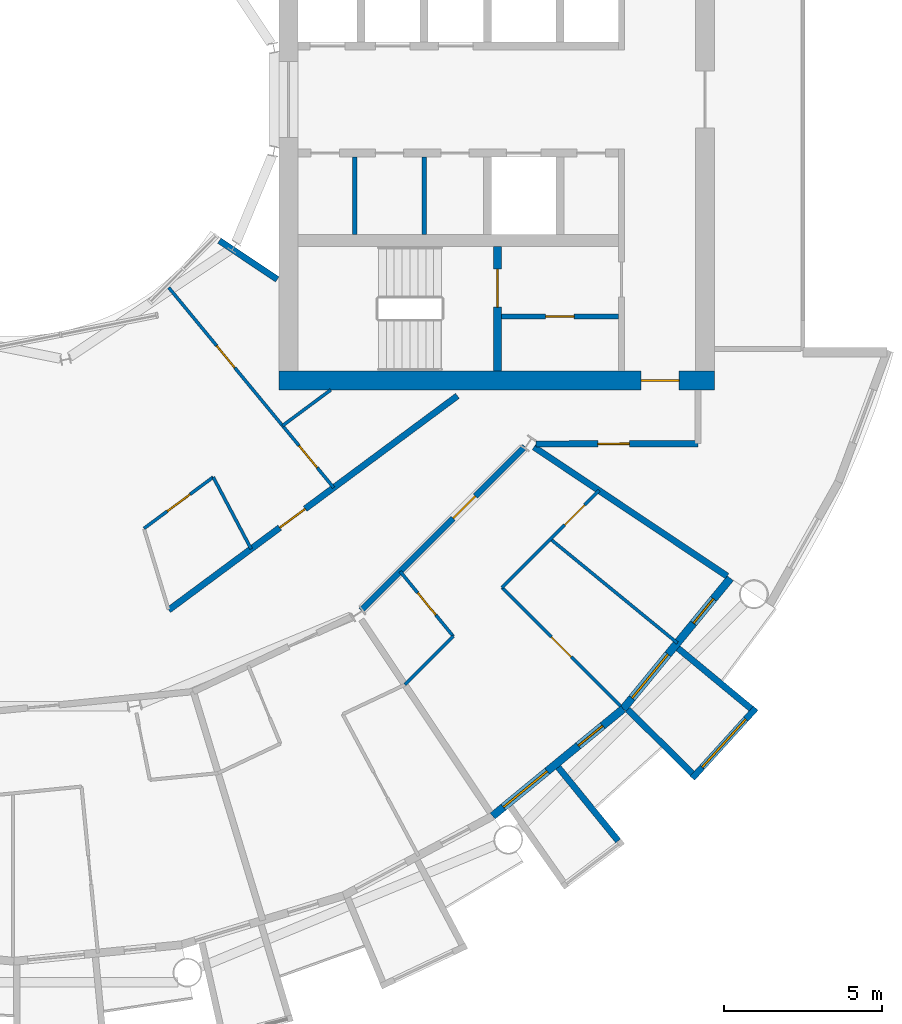
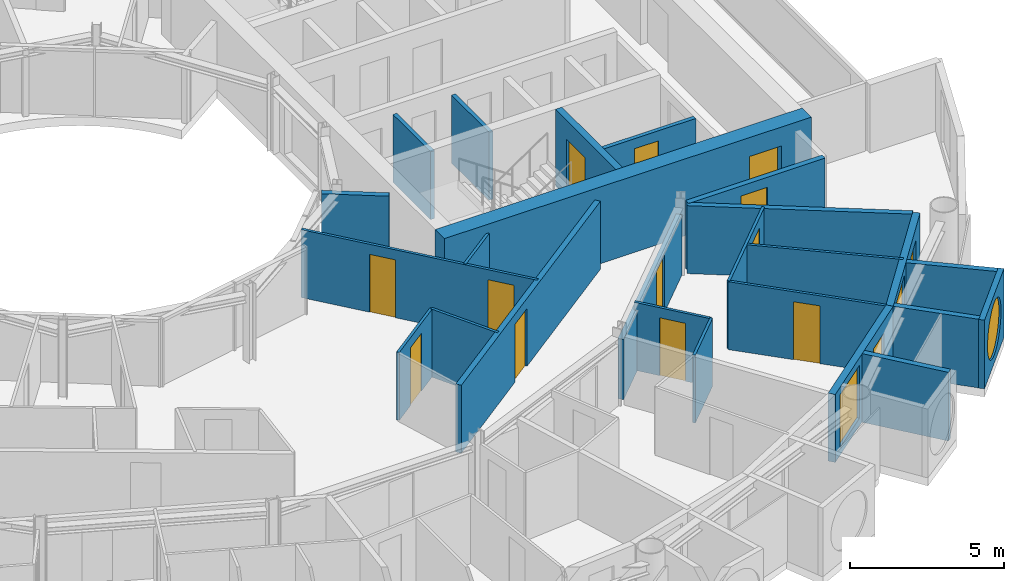
# One storey, part 17 of 27: 25 walls, 14 doors, 3 windows, 17 openings.
"""IFC4 building model written with IfcOpenShell, lengths in metres."""

from ifc_helpers import new_model, si_unit, direction, frame, frame_2d, origin, place, context, subcontext, project, spatial, rectangle, circle, extrude, material, layer, layer_set, type_object, element, fill, save


model = new_model("IFC4")

# Units and contexts
model_context = context("Model", 3, precision=1e-05, world=origin(), true_north=direction((0.0, 1.0)))
body_context = subcontext(model_context, "Body", "Model", "MODEL_VIEW")
ifc_project = project(units=[si_unit("LENGTHUNIT", "METRE"), si_unit("AREAUNIT", "SQUARE_METRE"), si_unit("VOLUMEUNIT", "CUBIC_METRE"), si_unit("PLANEANGLEUNIT", "RADIAN"), si_unit("MASSUNIT", "GRAM", prefix="KILO")], contexts=[model_context])

# Site, building, storey
site_placement = place(None, origin())
site = spatial("IfcSite", under=ifc_project, at=site_placement, CompositionType="ELEMENT")
building_placement = place(site_placement, origin())
building = spatial("IfcBuilding", under=site, at=building_placement, Name="Maasbend Ring Residences", CompositionType="ELEMENT")
storey_placement = place(building_placement, frame((0.0, 0.0, 117.75)))
storey = spatial("IfcBuildingStorey", under=building, at=storey_placement, Name="L33", CompositionType="ELEMENT", Elevation=117.75)

# Wall, opening, door
ifc_material_1 = material(Name="Concrete C60/75", Category="concrete")
ifc_layer_1 = layer(ifc_material_1, 0.25)
ifc_layer_set_1 = layer_set([ifc_layer_1], Name="Concrete C60/75")
wall_type_1 = type_object("IfcWallType", Name="CORE WALL 250 C60/75", PredefinedType="SHEAR", material=ifc_layer_set_1)
wall_1_placement = place(storey_placement, frame((15.324951171875, -8.60009765625, 0.0), z_axis=(0.0, 0.0, 1.0), x_axis=(0.0, 1.0, 0.0)))
wall_1 = element("IfcWall", 1, at=wall_1_placement, inside=storey, type_object=wall_type_1, Name="L33 core E wall STES", PredefinedType="SHEAR", context=body_context, shape_type="SweptSolid", body=[
    extrude(rectangle(XDim=3.9501953125, YDim=0.25, at=frame_2d((1.97509765625, 0.0))), origin(), (0.0, 0.0, 1.0), 3.050048828125),
])
opening_1_placement = place(wall_1_placement, frame((2.02490234375, 0.0, 0.0)))
opening_1 = element("IfcOpeningElement", 2, at=opening_1_placement, cuts=wall_1, Name="Opening D-E3312", PredefinedType="OPENING", context=body_context, shape_type="SweptSolid", body=[
    extrude(rectangle(XDim=1.199951171875, YDim=2.300048828125, at=frame_2d((0.60009765625, 1.14990234375))), frame((0.0, 0.135009765625, 0.0), z_axis=(0.0, -1.0, 0.0), x_axis=(1.0, 0.0, 0.0)), (0.0, 0.0, 1.0), 0.27001953125),
])
ifc_material_2 = material(Name="Steel, powder coated", Category="steel")
door_type_1 = type_object("IfcDoorType", Name="STAIR DOOR 1200 X 2300 FD60", OperationType="NOTDEFINED", PredefinedType="DOOR", material=ifc_material_2)
door_1_placement = place(opening_1_placement, origin())
door_1 = element("IfcDoor", 3, at=door_1_placement, inside=storey, type_object=door_type_1, Name="Stair door ST-E L33", OperationType="SINGLE_SWING_LEFT", OverallHeight=2.300048828125, OverallWidth=1.199951171875, PredefinedType="DOOR", context=body_context, shape_type="SweptSolid", body=[
    extrude(rectangle(XDim=1.199951171875, YDim=2.300048828125, at=frame_2d((0.60009765625, 1.14990234375))), frame((0.0, 0.02490234375, 0.0), z_axis=(0.0, -1.0, 0.0), x_axis=(1.0, 0.0, 0.0)), (0.0, 0.0, 1.0), 0.050048828125),
])
fill(opening_1, door_1)

ifc_material_3 = material(Name="Concrete C60/75", Category="concrete")
ifc_layer_2 = layer(ifc_material_3, 0.60009765625)
ifc_layer_set_2 = layer_set([ifc_layer_2], Name="Concrete C60/75")
wall_type_2 = type_object("IfcWallType", Name="CORE WALL 600 C60/75", PredefinedType="SHEAR", material=ifc_layer_set_2)
wall_2_placement = place(storey_placement, frame((8.39990234375, -8.89990234375, 0.0), z_axis=(0.0, 0.0, 1.0), x_axis=(1.0, 0.0, 0.0)))
wall_2 = element("IfcWall", 4, at=wall_2_placement, inside=storey, type_object=wall_type_2, Name="L33 core E wall PS", PredefinedType="SHEAR", context=body_context, shape_type="SweptSolid", body=[
    extrude(rectangle(XDim=13.800048828125, YDim=0.60009765625, at=frame_2d((6.89990234375, 0.0))), origin(), (0.0, 0.0, 1.0), 3.050048828125),
])
opening_2_placement = place(wall_2_placement, frame((11.47509765625, 0.0, 0.0)))
opening_2 = element("IfcOpeningElement", 5, at=opening_2_placement, cuts=wall_2, Name="Opening D-E3316", PredefinedType="OPENING", context=body_context, shape_type="SweptSolid", body=[
    extrude(rectangle(XDim=1.199951171875, YDim=2.300048828125, at=frame_2d((0.60009765625, 1.14990234375))), frame((0.0, 0.31005859375, 0.0), z_axis=(0.0, -1.0, 0.0), x_axis=(1.0, 0.0, 0.0)), (0.0, 0.0, 1.0), 0.6201171875),
])
ifc_material_4 = material(Name="Steel, powder coated", Category="steel")
door_type_2 = type_object("IfcDoorType", Name="CORRIDOR DOOR 1200 X 2300 FD30S", OperationType="NOTDEFINED", PredefinedType="DOOR", material=ifc_material_4)
door_2_placement = place(opening_2_placement, origin())
door_2 = element("IfcDoor", 6, at=door_2_placement, inside=storey, type_object=door_type_2, Name="Corridor door L33", OperationType="SINGLE_SWING_LEFT", OverallHeight=2.300048828125, OverallWidth=1.199951171875, PredefinedType="DOOR", context=body_context, shape_type="SweptSolid", body=[
    extrude(rectangle(XDim=1.199951171875, YDim=2.300048828125, at=frame_2d((0.60009765625, 1.14990234375))), frame((0.0, 0.02490234375, 0.0), z_axis=(0.0, -1.0, 0.0), x_axis=(1.0, 0.0, 0.0)), (0.0, 0.0, 1.0), 0.050048828125),
])
fill(opening_2, door_2)

ifc_material_5 = material(Name="Concrete C30/37", Category="concrete")
ifc_layer_3 = layer(ifc_material_5, 0.199951171875)
ifc_layer_set_3 = layer_set([ifc_layer_3], Name="Concrete C30/37")
wall_type_3 = type_object("IfcWallType", Name="CORRIDOR WALL 200 CONCRETE", PredefinedType="PARTITIONING", material=ifc_layer_set_3)
wall_3_placement = place(storey_placement, frame((11.0, -16.18603515625, 0.0), z_axis=(0.0, 0.0, 1.0), x_axis=(0.707106781187, 0.707106781187, 0.0)))
wall_3 = element("IfcWall", 7, at=wall_3_placement, inside=storey, type_object=wall_type_3, Name="U-L33-w016", PredefinedType="PARTITIONING", context=body_context, shape_type="SweptSolid", body=[
    extrude(rectangle(XDim=7.334228515625, YDim=0.199951171875, at=frame_2d((3.6669921875, 0.0))), origin(), (0.0, 0.0, 1.0), 2.389892578125),
])
opening_3_placement = place(wall_3_placement, frame((4.123046875, 0.0, 0.0)))
opening_3 = element("IfcOpeningElement", 8, at=opening_3_placement, cuts=wall_3, Name="Opening D-3349", PredefinedType="OPENING", context=body_context, shape_type="SweptSolid", body=[
    extrude(rectangle(XDim=1.0, YDim=2.300048828125, at=frame_2d((0.5, 1.14990234375))), frame((0.0, 0.10986328125, 0.0), z_axis=(0.0, -1.0, 0.0), x_axis=(1.0, 0.0, 0.0)), (0.0, 0.0, 1.0), 0.219970703125),
])
ifc_material_6 = material(Name="Timber, fire-rated, painted", Category="wood")
door_type_3 = type_object("IfcDoorType", Name="FLAT ENTRANCE DOOR 1000 X 2300 FIRE-RATED", OperationType="NOTDEFINED", PredefinedType="DOOR", material=ifc_material_6)
door_3_placement = place(opening_3_placement, origin())
door_3 = element("IfcDoor", 9, at=door_3_placement, inside=storey, type_object=door_type_3, Name="D-3349", OperationType="SINGLE_SWING_RIGHT", OverallHeight=2.300048828125, OverallWidth=1.0, PredefinedType="DOOR", context=body_context, shape_type="SweptSolid", body=[
    extrude(rectangle(XDim=1.0, YDim=2.300048828125, at=frame_2d((0.5, 1.14990234375))), frame((0.0, 0.02490234375, 0.0), z_axis=(0.0, -1.0, 0.0), x_axis=(1.0, 0.0, 0.0)), (0.0, 0.0, 1.0), 0.050048828125),
])
fill(opening_3, door_3)

wall_4_placement = place(storey_placement, frame((4.906005859375, -16.172119140625, 0.0), z_axis=(0.0, 0.0, 1.0), x_axis=(0.803204584823, 0.59570327758, 0.0)))
wall_4 = element("IfcWall", 10, at=wall_4_placement, inside=storey, type_object=wall_type_3, Name="U-L33-w018", PredefinedType="PARTITIONING", context=body_context, shape_type="SweptSolid", body=[
    extrude(rectangle(XDim=11.386962890625, YDim=0.199951171875, at=frame_2d((5.693359375, 0.0))), origin(), (0.0, 0.0, 1.0), 2.699951171875),
])
opening_4_placement = place(wall_4_placement, frame((4.3798828125, 0.0, 0.0)))
opening_4 = element("IfcOpeningElement", 11, at=opening_4_placement, cuts=wall_4, Name="Opening D-3358", PredefinedType="OPENING", context=body_context, shape_type="SweptSolid", body=[
    extrude(rectangle(XDim=1.0, YDim=2.300048828125, at=frame_2d((0.5, 1.14990234375))), frame((0.0, 0.10986328125, 0.0), z_axis=(0.0, -1.0, 0.0), x_axis=(1.0, 0.0, 0.0)), (0.0, 0.0, 1.0), 0.219970703125),
])
door_4_placement = place(opening_4_placement, origin())
door_4 = element("IfcDoor", 12, at=door_4_placement, inside=storey, type_object=door_type_3, Name="D-3358", OperationType="SINGLE_SWING_LEFT", OverallHeight=2.300048828125, OverallWidth=1.0, PredefinedType="DOOR", context=body_context, shape_type="SweptSolid", body=[
    extrude(rectangle(XDim=1.0, YDim=2.300048828125, at=frame_2d((0.5, 1.14990234375))), frame((0.0, 0.02490234375, 0.0), z_axis=(0.0, -1.0, 0.0), x_axis=(1.0, 0.0, 0.0)), (0.0, 0.0, 1.0), 0.050048828125),
])
fill(opening_4, door_4)

wall_5_placement = place(storey_placement, frame((16.541015625, -10.912109375, 0.0), z_axis=(0.0, 0.0, 1.0), x_axis=(0.999997173357, 0.002377662213, 0.0)))
wall_5 = element("IfcWall", 13, at=wall_5_placement, inside=storey, type_object=wall_type_3, Name="U-L33-w025", PredefinedType="PARTITIONING", context=body_context, shape_type="SweptSolid", body=[
    extrude(rectangle(XDim=5.134033203125, YDim=0.199951171875, at=frame_2d((2.56689453125, 0.0))), origin(), (0.0, 0.0, 1.0), 2.699951171875),
])
opening_5_placement = place(wall_5_placement, frame((1.962890625, 0.0, 0.0)))
opening_5 = element("IfcOpeningElement", 14, at=opening_5_placement, cuts=wall_5, Name="Opening D-3364", PredefinedType="OPENING", context=body_context, shape_type="SweptSolid", body=[
    extrude(rectangle(XDim=1.0, YDim=2.300048828125, at=frame_2d((0.5, 1.14990234375))), frame((0.0, 0.10986328125, 0.0), z_axis=(0.0, -1.0, 0.0), x_axis=(1.0, 0.0, 0.0)), (0.0, 0.0, 1.0), 0.219970703125),
])
ifc_material_7 = material(Name="Timber, painted", Category="wood")
door_type_4 = type_object("IfcDoorType", Name="ROOM DOOR 1000 X 2300", OperationType="NOTDEFINED", PredefinedType="DOOR", material=ifc_material_7)
door_5_placement = place(opening_5_placement, origin())
door_5 = element("IfcDoor", 15, at=door_5_placement, inside=storey, type_object=door_type_4, Name="D-3364", OperationType="SINGLE_SWING_LEFT", OverallHeight=2.300048828125, OverallWidth=1.0, PredefinedType="DOOR", context=body_context, shape_type="SweptSolid", body=[
    extrude(rectangle(XDim=1.0, YDim=2.300048828125, at=frame_2d((0.5, 1.14990234375))), frame((0.0, 0.02490234375, 0.0), z_axis=(0.0, -1.0, 0.0), x_axis=(1.0, 0.0, 0.0)), (0.0, 0.0, 1.0), 0.050048828125),
])
fill(opening_5, door_5)

# Wall
ifc_material_8 = material(Name="Pale anodised aluminium panel", Category="aluminium")
ifc_layer_4 = layer(ifc_material_8, 0.199951171875)
ifc_layer_set_4 = layer_set([ifc_layer_4], Name="EW-BOX")
wall_type_4 = type_object("IfcWallType", Name="EW-BOX", PredefinedType="SOLIDWALL", material=ifc_layer_set_4)
wall_6_placement = place(storey_placement, frame((17.24609375, -21.155029296875, -0.030029296875), z_axis=(0.0, 0.0, 1.0), x_axis=(0.631741648902, -0.775179004516, 0.0)))
element("IfcWall", 16, at=wall_6_placement, inside=storey, type_object=wall_type_4, Name="Box side wall S17 right", PredefinedType="SOLIDWALL", context=body_context, shape_type="SweptSolid", body=[
    extrude(rectangle(XDim=3.005859375, YDim=0.199951171875, at=frame_2d((1.5029296875, 0.0))), origin(), (0.0, 0.0, 1.0), 2.72998046875),
])

# Wall, opening, window
wall_7_placement = place(storey_placement, frame((21.492919921875, -21.5, -0.030029296875), z_axis=(0.0, 0.0, 1.0), x_axis=(0.671506829416, 0.740998365753, 0.0)))
wall_7 = element("IfcWall", 17, at=wall_7_placement, inside=storey, type_object=wall_type_4, Name="Box front S19", PredefinedType="SOLIDWALL", context=body_context, shape_type="SweptSolid", body=[
    extrude(rectangle(XDim=2.9931640625, YDim=0.199951171875, at=frame_2d((1.49658203125, 0.0))), origin(), (0.0, 0.0, 1.0), 2.72998046875),
])
opening_6_placement = place(wall_7_placement, frame((0.45654296875, 0.0, 0.330078125)))
opening_6 = element("IfcOpeningElement", 18, at=opening_6_placement, cuts=wall_7, Name="Opening W-RD", PredefinedType="OPENING", context=body_context, shape_type="SweptSolid", body=[
    extrude(circle(Radius=1.0400390625, at=frame_2d((1.0400390625, 1.0400390625))), frame((0.0, 0.10986328125, 0.0), z_axis=(0.0, -1.0, 0.0), x_axis=(1.0, 0.0, 0.0)), (0.0, 0.0, 1.0), 0.219970703125),
])
ifc_material_9 = material(Name="Aluminium and clear glass", Category="aluminium")
window_type_1 = type_object("IfcWindowType", Name="W-RD", PartitioningType="SINGLE_PANEL", PredefinedType="WINDOW", material=ifc_material_9)
window_1_placement = place(opening_6_placement, origin())
window_1 = element("IfcWindow", 19, at=window_1_placement, inside=storey, type_object=window_type_1, Name="Round window S19", OverallHeight=2.080078125, OverallWidth=2.080078125, PartitioningType="SINGLE_PANEL", PredefinedType="WINDOW", context=body_context, shape_type="SweptSolid", body=[
    extrude(circle(Radius=1.0400390625, at=frame_2d((1.0400390625, 1.0400390625))), frame((0.0, 0.030029296875, 0.0), z_axis=(0.0, -1.0, 0.0), x_axis=(1.0, 0.0, 0.0)), (0.0, 0.0, 1.0), 0.06005859375),
])
fill(opening_6, window_1)

# Walls
wall_8_placement = place(storey_placement, frame((19.449951171875, -19.322998046875, -0.030029296875), z_axis=(0.0, 0.0, 1.0), x_axis=(0.709727076896, -0.704476739375, 0.0)))
element("IfcWall", 20, at=wall_8_placement, inside=storey, type_object=wall_type_4, Name="Box side wall S19 left", PredefinedType="SOLIDWALL", context=body_context, shape_type="SweptSolid", body=[
    extrude(rectangle(XDim=2.883056640625, YDim=0.199951171875, at=frame_2d((1.44140625, 0.0))), origin(), (0.0, 0.0, 1.0), 2.72998046875),
])
wall_9_placement = place(storey_placement, frame((21.041015625, -17.384033203125, -0.030029296875), z_axis=(0.0, 0.0, 1.0), x_axis=(0.770784861449, -0.63709551667, 0.0)))
element("IfcWall", 21, at=wall_9_placement, inside=storey, type_object=wall_type_4, Name="Box side wall S19 right", PredefinedType="SOLIDWALL", context=body_context, shape_type="SweptSolid", body=[
    extrude(rectangle(XDim=3.005859375, YDim=0.199951171875, at=frame_2d((1.5029296875, 0.0))), origin(), (0.0, 0.0, 1.0), 2.72998046875),
])

# Wall, openings, door, window
ifc_material_10 = material(Name="Aluminium clad insulated panel", Category="aluminium")
ifc_layer_5 = layer(ifc_material_10, 0.25)
ifc_layer_set_5 = layer_set([ifc_layer_5], Name="EW-GL")
wall_type_5 = type_object("IfcWallType", Name="EW-GL", PredefinedType="SOLIDWALL", material=ifc_layer_set_5)
wall_10_placement = place(storey_placement, frame((15.1669921875, -22.698974609375, 0.0), z_axis=(0.0, 0.0, 1.0), x_axis=(0.773019449054, 0.634382322723, 0.0)))
wall_10 = element("IfcWall", 22, at=wall_10_placement, inside=storey, type_object=wall_type_5, Name="External wall S09", PredefinedType="SOLIDWALL", context=body_context, shape_type="SweptSolid", body=[
    extrude(rectangle(XDim=5.351806640625, YDim=0.25, at=frame_2d((2.67578125, 0.0))), origin(), (0.0, 0.0, 1.0), 2.699951171875),
])
opening_7_placement = place(wall_10_placement, frame((0.441162109375, 0.0, 0.300048828125)))
opening_7 = element("IfcOpeningElement", 23, at=opening_7_placement, cuts=wall_10, Name="Opening W-BX", PredefinedType="OPENING", context=body_context, shape_type="SweptSolid", body=[
    extrude(rectangle(XDim=1.800048828125, YDim=2.10009765625, at=frame_2d((0.89990234375, 1.050048828125))), frame((0.0, 0.135009765625, 0.0), z_axis=(0.0, -1.0, 0.0), x_axis=(1.0, 0.0, 0.0)), (0.0, 0.0, 1.0), 0.27001953125),
])
opening_8_placement = place(wall_10_placement, frame((3.510498046875, 0.0, 0.0)))
opening_8 = element("IfcOpeningElement", 24, at=opening_8_placement, cuts=wall_10, Name="Opening D-LG", PredefinedType="OPENING", context=body_context, shape_type="SweptSolid", body=[
    extrude(rectangle(XDim=1.0, YDim=2.199951171875, at=frame_2d((0.5, 1.10009765625))), frame((0.0, 0.135009765625, 0.0), z_axis=(0.0, -1.0, 0.0), x_axis=(1.0, 0.0, 0.0)), (0.0, 0.0, 1.0), 0.27001953125),
])
ifc_material_11 = material(Name="Aluminium and clear glass", Category="aluminium")
door_type_5 = type_object("IfcDoorType", Name="D-LG", OperationType="SINGLE_SWING_LEFT", PredefinedType="DOOR", material=ifc_material_11)
door_6_placement = place(opening_8_placement, origin())
door_6 = element("IfcDoor", 25, at=door_6_placement, inside=storey, type_object=door_type_5, Name="Loggia door S18", OperationType="SINGLE_SWING_LEFT", OverallHeight=2.199951171875, OverallWidth=1.0, PredefinedType="DOOR", context=body_context, shape_type="SweptSolid", body=[
    extrude(rectangle(XDim=1.0, YDim=2.199951171875, at=frame_2d((0.5, 1.10009765625))), frame((0.0, 0.02490234375, 0.0), z_axis=(0.0, -1.0, 0.0), x_axis=(1.0, 0.0, 0.0)), (0.0, 0.0, 1.0), 0.050048828125),
])
fill(opening_8, door_6)
ifc_material_12 = material(Name="Aluminium and clear glass", Category="aluminium")
window_type_2 = type_object("IfcWindowType", Name="W-BX", PartitioningType="DOUBLE_PANEL_VERTICAL", PredefinedType="WINDOW", material=ifc_material_12)
window_2_placement = place(opening_7_placement, origin())
window_2 = element("IfcWindow", 26, at=window_2_placement, inside=storey, type_object=window_type_2, Name="Window S17 room to box", OverallHeight=2.10009765625, OverallWidth=1.800048828125, PartitioningType="SINGLE_PANEL", PredefinedType="WINDOW", context=body_context, shape_type="SweptSolid", body=[
    extrude(rectangle(XDim=1.800048828125, YDim=2.10009765625, at=frame_2d((0.89990234375, 1.050048828125))), frame((0.0, 0.030029296875, 0.0), z_axis=(0.0, -1.0, 0.0), x_axis=(1.0, 0.0, 0.0)), (0.0, 0.0, 1.0), 0.06005859375),
])
fill(opening_7, window_2)

wall_11_placement = place(storey_placement, frame((19.303955078125, -19.303955078125, 0.0), z_axis=(0.0, 0.0, 1.0), x_axis=(0.634382322723, 0.773019449054, 0.0)))
wall_11 = element("IfcWall", 27, at=wall_11_placement, inside=storey, type_object=wall_type_5, Name="External wall S10", PredefinedType="SOLIDWALL", context=body_context, shape_type="SweptSolid", body=[
    extrude(rectangle(XDim=5.351806640625, YDim=0.25, at=frame_2d((2.67578125, 0.0))), origin(), (0.0, 0.0, 1.0), 2.699951171875),
])
opening_9_placement = place(wall_11_placement, frame((0.441162109375, 0.0, 0.300048828125)))
opening_9 = element("IfcOpeningElement", 28, at=opening_9_placement, cuts=wall_11, Name="Opening W-BX", PredefinedType="OPENING", context=body_context, shape_type="SweptSolid", body=[
    extrude(rectangle(XDim=1.800048828125, YDim=2.10009765625, at=frame_2d((0.89990234375, 1.050048828125))), frame((0.0, 0.135009765625, 0.0), z_axis=(0.0, -1.0, 0.0), x_axis=(1.0, 0.0, 0.0)), (0.0, 0.0, 1.0), 0.27001953125),
])
opening_10_placement = place(wall_11_placement, frame((3.510498046875, 0.0, 0.0)))
opening_10 = element("IfcOpeningElement", 29, at=opening_10_placement, cuts=wall_11, Name="Opening D-LG", PredefinedType="OPENING", context=body_context, shape_type="SweptSolid", body=[
    extrude(rectangle(XDim=1.0, YDim=2.199951171875, at=frame_2d((0.5, 1.10009765625))), frame((0.0, 0.135009765625, 0.0), z_axis=(0.0, -1.0, 0.0), x_axis=(1.0, 0.0, 0.0)), (0.0, 0.0, 1.0), 0.27001953125),
])
door_7_placement = place(opening_10_placement, origin())
door_7 = element("IfcDoor", 30, at=door_7_placement, inside=storey, type_object=door_type_5, Name="Loggia door S20", OperationType="SINGLE_SWING_LEFT", OverallHeight=2.199951171875, OverallWidth=1.0, PredefinedType="DOOR", context=body_context, shape_type="SweptSolid", body=[
    extrude(rectangle(XDim=1.0, YDim=2.199951171875, at=frame_2d((0.5, 1.10009765625))), frame((0.0, 0.02490234375, 0.0), z_axis=(0.0, -1.0, 0.0), x_axis=(1.0, 0.0, 0.0)), (0.0, 0.0, 1.0), 0.050048828125),
])
fill(opening_10, door_7)
window_3_placement = place(opening_9_placement, origin())
window_3 = element("IfcWindow", 31, at=window_3_placement, inside=storey, type_object=window_type_2, Name="Window S19 room to box", OverallHeight=2.10009765625, OverallWidth=1.800048828125, PartitioningType="SINGLE_PANEL", PredefinedType="WINDOW", context=body_context, shape_type="SweptSolid", body=[
    extrude(rectangle(XDim=1.800048828125, YDim=2.10009765625, at=frame_2d((0.89990234375, 1.050048828125))), frame((0.0, 0.030029296875, 0.0), z_axis=(0.0, -1.0, 0.0), x_axis=(1.0, 0.0, 0.0)), (0.0, 0.0, 1.0), 0.06005859375),
])
fill(opening_9, window_3)

# Wall
ifc_material_13 = material(Name="Gypsum board on steel studs", Category="steel")
ifc_layer_6 = layer(ifc_material_13, 0.10009765625)
ifc_layer_set_6 = layer_set([ifc_layer_6], Name="PARTITION 100 GYPSUM")
wall_type_6 = type_object("IfcWallType", Name="PARTITION 100 GYPSUM", PredefinedType="PARTITIONING", material=ifc_layer_set_6)
wall_12_placement = place(storey_placement, frame((12.388916015625, -18.5419921875, 0.0), z_axis=(0.0, 0.0, 1.0), x_axis=(0.707106781187, 0.707106781187, 0.0)))
element("IfcWall", 32, at=wall_12_placement, inside=storey, type_object=wall_type_6, Name="U-L33-w007", PredefinedType="PARTITIONING", context=body_context, shape_type="SweptSolid", body=[
    extrude(rectangle(XDim=2.17529296875, YDim=0.10009765625, at=frame_2d((1.087646484375, 0.0))), origin(), (0.0, 0.0, 1.0), 2.699951171875),
])

# Wall, opening, door
wall_13_placement = place(storey_placement, frame((15.468017578125, -15.462890625, 0.0), z_axis=(0.0, 0.0, 1.0), x_axis=(0.707106781187, 0.707106781187, 0.0)))
wall_13 = element("IfcWall", 33, at=wall_13_placement, inside=storey, type_object=wall_type_6, Name="U-L33-w008", PredefinedType="PARTITIONING", context=body_context, shape_type="SweptSolid", body=[
    extrude(rectangle(XDim=4.351318359375, YDim=0.10009765625, at=frame_2d((2.17578125, 0.0))), origin(), (0.0, 0.0, 1.0), 2.699951171875),
])
opening_11_placement = place(wall_13_placement, frame((2.80810546875, 0.0, 0.0)))
opening_11 = element("IfcOpeningElement", 34, at=opening_11_placement, cuts=wall_13, Name="Opening D-3352", PredefinedType="OPENING", context=body_context, shape_type="SweptSolid", body=[
    extrude(rectangle(XDim=0.89990234375, YDim=2.300048828125, at=frame_2d((0.449951171875, 1.14990234375))), frame((0.0, 0.06005859375, 0.0), z_axis=(0.0, -1.0, 0.0), x_axis=(1.0, 0.0, 0.0)), (0.0, 0.0, 1.0), 0.1201171875),
])
ifc_material_14 = material(Name="Timber, painted", Category="wood")
door_type_6 = type_object("IfcDoorType", Name="INTERNAL DOOR 900 X 2300", OperationType="NOTDEFINED", PredefinedType="DOOR", material=ifc_material_14)
door_8_placement = place(opening_11_placement, origin())
door_8 = element("IfcDoor", 35, at=door_8_placement, inside=storey, type_object=door_type_6, Name="D-3352", OperationType="SINGLE_SWING_RIGHT", OverallHeight=2.300048828125, OverallWidth=0.89990234375, PredefinedType="DOOR", context=body_context, shape_type="SweptSolid", body=[
    extrude(rectangle(XDim=0.89990234375, YDim=2.300048828125, at=frame_2d((0.449951171875, 1.14990234375))), frame((0.0, 0.02490234375, 0.0), z_axis=(0.0, -1.0, 0.0), x_axis=(1.0, 0.0, 0.0)), (0.0, 0.0, 1.0), 0.050048828125),
])
fill(opening_11, door_8)

wall_14_placement = place(storey_placement, frame((4.1220703125, -13.589111328125, 0.0), z_axis=(0.0, 0.0, 1.0), x_axis=(0.803128348509, 0.595806055542, 0.0)))
wall_14 = element("IfcWall", 36, at=wall_14_placement, inside=storey, type_object=wall_type_6, Name="U-L33-w020", PredefinedType="PARTITIONING", context=body_context, shape_type="SweptSolid", body=[
    extrude(rectangle(XDim=2.734375, YDim=0.10009765625, at=frame_2d((1.3671875, 0.0))), origin(), (0.0, 0.0, 1.0), 2.699951171875),
])
opening_12_placement = place(wall_14_placement, frame((0.9169921875, 0.0, 0.0)))
opening_12 = element("IfcOpeningElement", 37, at=opening_12_placement, cuts=wall_14, Name="Opening D-3359", PredefinedType="OPENING", context=body_context, shape_type="SweptSolid", body=[
    extrude(rectangle(XDim=0.89990234375, YDim=2.300048828125, at=frame_2d((0.449951171875, 1.14990234375))), frame((0.0, 0.06005859375, 0.0), z_axis=(0.0, -1.0, 0.0), x_axis=(1.0, 0.0, 0.0)), (0.0, 0.0, 1.0), 0.1201171875),
])
door_9_placement = place(opening_12_placement, origin())
door_9 = element("IfcDoor", 38, at=door_9_placement, inside=storey, type_object=door_type_6, Name="D-3359", OperationType="SINGLE_SWING_RIGHT", OverallHeight=2.300048828125, OverallWidth=0.89990234375, PredefinedType="DOOR", context=body_context, shape_type="SweptSolid", body=[
    extrude(rectangle(XDim=0.89990234375, YDim=2.300048828125, at=frame_2d((0.449951171875, 1.14990234375))), frame((0.0, 0.02490234375, 0.0), z_axis=(0.0, -1.0, 0.0), x_axis=(1.0, 0.0, 0.0)), (0.0, 0.0, 1.0), 0.050048828125),
])
fill(opening_12, door_9)

# Wall
wall_15_placement = place(storey_placement, frame((8.512939453125, -10.33203125, 0.0), z_axis=(0.0, 0.0, 1.0), x_axis=(0.803149591038, 0.595777420196, 0.0)))
element("IfcWall", 39, at=wall_15_placement, inside=storey, type_object=wall_type_6, Name="U-L33-w021", PredefinedType="PARTITIONING", context=body_context, shape_type="SweptSolid", body=[
    extrude(rectangle(XDim=1.900146484375, YDim=0.10009765625, at=frame_2d((0.9501953125, 0.0))), origin(), (0.0, 0.0, 1.0), 2.699951171875),
])

# Wall, openings, doors
wall_16_placement = place(storey_placement, frame((4.907958984375, -5.958984375, 0.0), z_axis=(0.0, 0.0, 1.0), x_axis=(0.636105207978, -0.771602335652, 0.0)))
wall_16 = element("IfcWall", 40, at=wall_16_placement, inside=storey, type_object=wall_type_6, Name="U-L33-w064", PredefinedType="PARTITIONING", context=body_context, shape_type="SweptSolid", body=[
    extrude(rectangle(XDim=8.212646484375, YDim=0.10009765625, at=frame_2d((4.1064453125, 0.0))), origin(), (0.0, 0.0, 1.0), 2.699951171875),
])
opening_13_placement = place(wall_16_placement, frame((6.489990234375, 0.0, 0.0)))
opening_13 = element("IfcOpeningElement", 41, at=opening_13_placement, cuts=wall_16, Name="Opening D-3360", PredefinedType="OPENING", context=body_context, shape_type="SweptSolid", body=[
    extrude(rectangle(XDim=0.89990234375, YDim=2.300048828125, at=frame_2d((0.449951171875, 1.14990234375))), frame((0.0, 0.06005859375, 0.0), z_axis=(0.0, -1.0, 0.0), x_axis=(1.0, 0.0, 0.0)), (0.0, 0.0, 1.0), 0.1201171875),
])
opening_14_placement = place(wall_16_placement, frame((2.384033203125, 0.0, 0.0)))
opening_14 = element("IfcOpeningElement", 42, at=opening_14_placement, cuts=wall_16, Name="Opening D-3361", PredefinedType="OPENING", context=body_context, shape_type="SweptSolid", body=[
    extrude(rectangle(XDim=0.89990234375, YDim=2.300048828125, at=frame_2d((0.449951171875, 1.14990234375))), frame((0.0, 0.06005859375, 0.0), z_axis=(0.0, -1.0, 0.0), x_axis=(1.0, 0.0, 0.0)), (0.0, 0.0, 1.0), 0.1201171875),
])
door_10_placement = place(opening_13_placement, origin())
door_10 = element("IfcDoor", 43, at=door_10_placement, inside=storey, type_object=door_type_6, Name="D-3360", OperationType="SINGLE_SWING_RIGHT", OverallHeight=2.300048828125, OverallWidth=0.89990234375, PredefinedType="DOOR", context=body_context, shape_type="SweptSolid", body=[
    extrude(rectangle(XDim=0.89990234375, YDim=2.300048828125, at=frame_2d((0.449951171875, 1.14990234375))), frame((0.0, 0.02490234375, 0.0), z_axis=(0.0, -1.0, 0.0), x_axis=(1.0, 0.0, 0.0)), (0.0, 0.0, 1.0), 0.050048828125),
])
fill(opening_13, door_10)
door_11_placement = place(opening_14_placement, origin())
door_11 = element("IfcDoor", 44, at=door_11_placement, inside=storey, type_object=door_type_6, Name="D-3361", OperationType="SINGLE_SWING_LEFT", OverallHeight=2.300048828125, OverallWidth=0.89990234375, PredefinedType="DOOR", context=body_context, shape_type="SweptSolid", body=[
    extrude(rectangle(XDim=0.89990234375, YDim=2.300048828125, at=frame_2d((0.449951171875, 1.14990234375))), frame((0.0, 0.02490234375, 0.0), z_axis=(0.0, -1.0, 0.0), x_axis=(1.0, 0.0, 0.0)), (0.0, 0.0, 1.0), 0.050048828125),
])
fill(opening_14, door_11)

# Wall
wall_17_placement = place(storey_placement, frame((6.31591796875, -11.9609375, 0.0), z_axis=(0.0, 0.0, 1.0), x_axis=(0.467037016128, -0.884237765291, 0.0)))
element("IfcWall", 45, at=wall_17_placement, inside=storey, type_object=wall_type_6, Name="U-L33-w067", PredefinedType="PARTITIONING", context=body_context, shape_type="SweptSolid", body=[
    extrude(rectangle(XDim=2.57177734375, YDim=0.10009765625, at=frame_2d((1.285888671875, 0.0))), origin(), (0.0, 0.0, 1.0), 2.699951171875),
])

# Wall, opening, door
wall_18_placement = place(storey_placement, frame((12.237060546875, -14.947998046875, 0.0), z_axis=(0.0, 0.0, 1.0), x_axis=(0.633537478353, -0.773712002958, 0.0)))
wall_18 = element("IfcWall", 46, at=wall_18_placement, inside=storey, type_object=wall_type_6, Name="U-L33-w075", PredefinedType="PARTITIONING", context=body_context, shape_type="SweptSolid", body=[
    extrude(rectangle(XDim=2.661376953125, YDim=0.10009765625, at=frame_2d((1.33056640625, 0.0))), origin(), (0.0, 0.0, 1.0), 2.699951171875),
])
opening_15_placement = place(wall_18_placement, frame((0.881103515625, 0.0, 0.0)))
opening_15 = element("IfcOpeningElement", 47, at=opening_15_placement, cuts=wall_18, Name="Opening D-3350", PredefinedType="OPENING", context=body_context, shape_type="SweptSolid", body=[
    extrude(rectangle(XDim=0.89990234375, YDim=2.300048828125, at=frame_2d((0.449951171875, 1.14990234375))), frame((0.0, 0.06005859375, 0.0), z_axis=(0.0, -1.0, 0.0), x_axis=(1.0, 0.0, 0.0)), (0.0, 0.0, 1.0), 0.1201171875),
])
door_12_placement = place(opening_15_placement, origin())
door_12 = element("IfcDoor", 48, at=door_12_placement, inside=storey, type_object=door_type_6, Name="D-3350", OperationType="SINGLE_SWING_RIGHT", OverallHeight=2.300048828125, OverallWidth=0.89990234375, PredefinedType="DOOR", context=body_context, shape_type="SweptSolid", body=[
    extrude(rectangle(XDim=0.89990234375, YDim=2.300048828125, at=frame_2d((0.449951171875, 1.14990234375))), frame((0.0, 0.02490234375, 0.0), z_axis=(0.0, -1.0, 0.0), x_axis=(1.0, 0.0, 0.0)), (0.0, 0.0, 1.0), 0.050048828125),
])
fill(opening_15, door_12)

wall_19_placement = place(storey_placement, frame((15.465087890625, -15.465087890625, 0.0), z_axis=(0.0, 0.0, 1.0), x_axis=(0.707106781187, -0.707106781187, 0.0)))
wall_19 = element("IfcWall", 49, at=wall_19_placement, inside=storey, type_object=wall_type_6, Name="U-L33-w078", PredefinedType="PARTITIONING", context=body_context, shape_type="SweptSolid", body=[
    extrude(rectangle(XDim=5.3046875, YDim=0.10009765625, at=frame_2d((2.65234375, 0.0))), origin(), (0.0, 0.0, 1.0), 2.699951171875),
])
opening_16_placement = place(wall_19_placement, frame((2.201904296875, 0.0, 0.0)))
opening_16 = element("IfcOpeningElement", 50, at=opening_16_placement, cuts=wall_19, Name="Opening D-3351", PredefinedType="OPENING", context=body_context, shape_type="SweptSolid", body=[
    extrude(rectangle(XDim=0.89990234375, YDim=2.300048828125, at=frame_2d((0.449951171875, 1.14990234375))), frame((0.0, 0.06005859375, 0.0), z_axis=(0.0, -1.0, 0.0), x_axis=(1.0, 0.0, 0.0)), (0.0, 0.0, 1.0), 0.1201171875),
])
door_13_placement = place(opening_16_placement, origin())
door_13 = element("IfcDoor", 51, at=door_13_placement, inside=storey, type_object=door_type_6, Name="D-3351", OperationType="SINGLE_SWING_RIGHT", OverallHeight=2.300048828125, OverallWidth=0.89990234375, PredefinedType="DOOR", context=body_context, shape_type="SweptSolid", body=[
    extrude(rectangle(XDim=0.89990234375, YDim=2.300048828125, at=frame_2d((0.449951171875, 1.14990234375))), frame((0.0, 0.02490234375, 0.0), z_axis=(0.0, -1.0, 0.0), x_axis=(1.0, 0.0, 0.0)), (0.0, 0.0, 1.0), 0.050048828125),
])
fill(opening_16, door_13)

# Walls
wall_20_placement = place(storey_placement, frame((17.00390625, -13.927001953125, 0.0), z_axis=(0.0, 0.0, 1.0), x_axis=(0.773517471898, -0.633774976367, 0.0)))
element("IfcWall", 52, at=wall_20_placement, inside=storey, type_object=wall_type_6, Name="U-L33-w082", PredefinedType="PARTITIONING", context=body_context, shape_type="SweptSolid", body=[
    extrude(rectangle(XDim=5.19580078125, YDim=0.10009765625, at=frame_2d((2.597900390625, 0.0))), origin(), (0.0, 0.0, 1.0), 2.699951171875),
])
ifc_material_15 = material(Name="Gypsum board on steel studs", Category="steel")
ifc_layer_7 = layer(ifc_material_15, 0.14990234375)
ifc_layer_set_7 = layer_set([ifc_layer_7], Name="PARTITION 150 EI 60")
wall_type_7 = type_object("IfcWallType", Name="PARTITION 150 EI 60", PredefinedType="PARTITIONING", material=ifc_layer_set_7)
for number, where, z_axis, x_axis, name in (
    (53, (10.800048828125, -1.824951171875, 0.0), (0.0, 0.0, 1.0), (0.0, -1.0, 0.0), "L33 core E wall PRS1080"),
    (54, (13.0, -1.824951171875, 0.0), (0.0, 0.0, 1.0), (0.0, -1.0, 0.0), "L33 core E wall PRS1300"),
):
    element("IfcWall", number, at=place(storey_placement, frame(where, z_axis=z_axis, x_axis=x_axis)), inside=storey, type_object=wall_type_7, Name=name, PredefinedType="PARTITIONING", context=body_context, shape_type="SweptSolid", body=[
        extrude(rectangle(XDim=2.449951171875, YDim=0.14990234375, at=frame_2d((1.22509765625, 0.0))), origin(), (0.0, 0.0, 1.0), 2.699951171875),
    ])

# Wall, opening, door
wall_21_placement = place(storey_placement, frame((15.449951171875, -6.875, 0.0), z_axis=(0.0, 0.0, 1.0), x_axis=(1.0, 0.0, 0.0)))
wall_21 = element("IfcWall", 55, at=wall_21_placement, inside=storey, type_object=wall_type_7, Name="L33 core E wall RHS", PredefinedType="PARTITIONING", context=body_context, shape_type="SweptSolid", body=[
    extrude(rectangle(XDim=3.699951171875, YDim=0.14990234375, at=frame_2d((1.85009765625, 0.0))), origin(), (0.0, 0.0, 1.0), 2.699951171875),
])
opening_17_placement = place(wall_21_placement, frame((1.39990234375, 0.0, 0.0)))
opening_17 = element("IfcOpeningElement", 56, at=opening_17_placement, cuts=wall_21, Name="Opening D-E3310", PredefinedType="OPENING", context=body_context, shape_type="SweptSolid", body=[
    extrude(rectangle(XDim=0.89990234375, YDim=2.300048828125, at=frame_2d((0.449951171875, 1.14990234375))), frame((0.0, 0.0849609375, 0.0), z_axis=(0.0, -1.0, 0.0), x_axis=(1.0, 0.0, 0.0)), (0.0, 0.0, 1.0), 0.169921875),
])
ifc_material_16 = material(Name="Steel, powder coated", Category="steel")
door_type_7 = type_object("IfcDoorType", Name="RISER DOOR 900 X 2300 FD60", OperationType="NOTDEFINED", PredefinedType="DOOR", material=ifc_material_16)
door_14_placement = place(opening_17_placement, origin())
door_14 = element("IfcDoor", 57, at=door_14_placement, inside=storey, type_object=door_type_7, Name="Riser door L33", OperationType="SINGLE_SWING_LEFT", OverallHeight=2.300048828125, OverallWidth=0.89990234375, PredefinedType="DOOR", context=body_context, shape_type="SweptSolid", body=[
    extrude(rectangle(XDim=0.89990234375, YDim=2.300048828125, at=frame_2d((0.449951171875, 1.14990234375))), frame((0.0, 0.02490234375, 0.0), z_axis=(0.0, -1.0, 0.0), x_axis=(1.0, 0.0, 0.0)), (0.0, 0.0, 1.0), 0.050048828125),
])
fill(opening_17, door_14)

# Walls
ifc_material_17 = material(Name="Concrete C30/37", Category="concrete")
ifc_layer_8 = layer(ifc_material_17, 0.199951171875)
ifc_layer_set_8 = layer_set([ifc_layer_8], Name="Concrete C30/37")
wall_type_8 = type_object("IfcWallType", Name="PARTY WALL 200 CONCRETE", PredefinedType="PARTITIONING", material=ifc_layer_set_8)
wall_22_placement = place(storey_placement, frame((6.512939453125, -4.471923828125, 0.0), z_axis=(0.0, 0.0, 1.0), x_axis=(0.831333375071, -0.555774072347, 0.0)))
element("IfcWall", 58, at=wall_22_placement, inside=storey, type_object=wall_type_8, Name="U-L33-w027", PredefinedType="PARTITIONING", context=body_context, shape_type="SweptSolid", body=[
    extrude(rectangle(XDim=2.20263671875, YDim=0.199951171875, at=frame_2d((1.101318359375, 0.0))), origin(), (0.0, 0.0, 1.0), 2.699951171875),
])
wall_23_placement = place(storey_placement, frame((16.47705078125, -11.009033203125, 0.0), z_axis=(0.0, 0.0, 1.0), x_axis=(0.831467903109, -0.555572791, 0.0)))
element("IfcWall", 59, at=wall_23_placement, inside=storey, type_object=wall_type_8, Name="U-L33-w080", PredefinedType="PARTITIONING", context=body_context, shape_type="SweptSolid", body=[
    extrude(rectangle(XDim=7.35791015625, YDim=0.199951171875, at=frame_2d((3.678955078125, 0.0))), origin(), (0.0, 0.0, 1.0), 2.699951171875),
])

save(model, "model.ifc")
